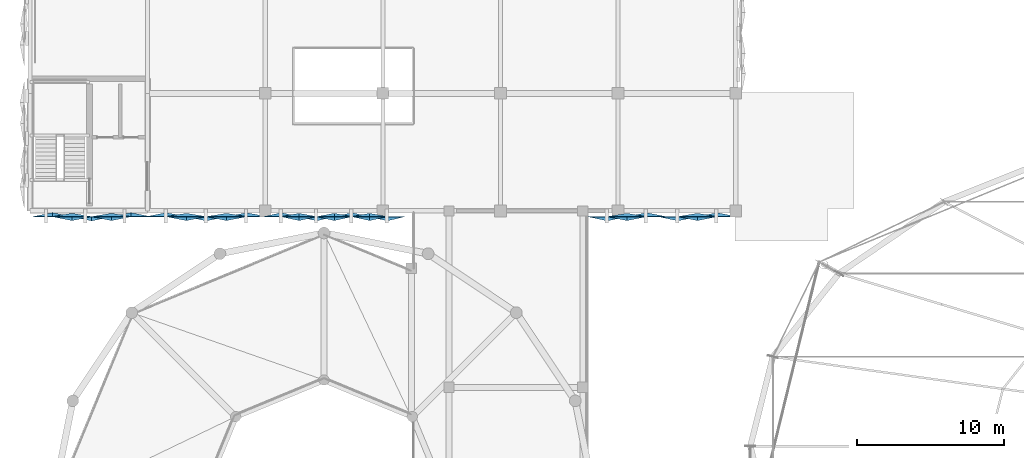
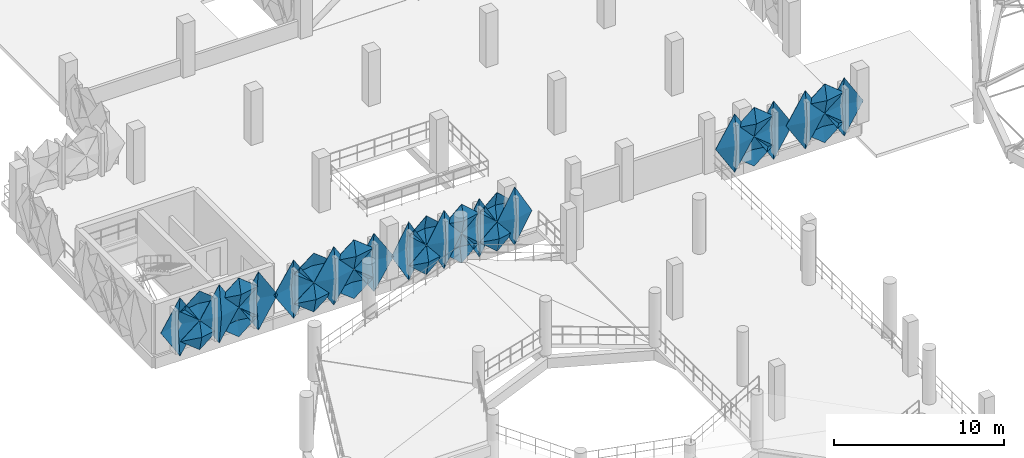
# One storey, part 63 of 96: 32 plates.
"""IFC4 building model written with IfcOpenShell, lengths in metres."""

import ifcopenshell
import ifcopenshell.guid

model = None  # the IFC model being written
_history = None  # IfcOwnerHistory: only IFC2X3 demands one
_inside = {}  # id of a spatial element -> (the spatial element, [elements in it])
_under = {}  # id of a project, library or spatial element -> (it, [spatial elements below it])
_declared = {}  # id of a project -> (the project, [libraries it declares])
_typed = {}  # id of a type object -> (the type object, [elements of that type])
_made_of = {}  # id of a material, layer set ... -> (it, [elements and type objects made of it])


def new_model(schema):
    """Start an empty IFC model of exactly this schema.

    Asked for "IFC4X3", IfcOpenShell would pick the latest addendum, in which some entities
    have other attributes; the version numbers below select the first issue.
    IFC2X3 requires an IfcOwnerHistory on every rooted entity: one is made here for all.
    """
    global model, _history
    if schema == "IFC4X3":
        model = ifcopenshell.file(schema_version=(4, 3, 0, 0))
    else:
        model = ifcopenshell.file(schema=schema)
    _inside.clear()
    _under.clear()
    _declared.clear()
    _typed.clear()
    _made_of.clear()
    _history = None
    if model.schema == "IFC2X3":
        org = make("IfcOrganization", Name="unknown")
        user = make(
            "IfcPersonAndOrganization",
            ThePerson=make("IfcPerson", FamilyName="unknown"),
            TheOrganization=org,
        )
        app = make(
            "IfcApplication",
            ApplicationDeveloper=org,
            Version="unknown",
            ApplicationFullName="unknown",
            ApplicationIdentifier="unknown",
        )
        _history = make(
            "IfcOwnerHistory",
            OwningUser=user,
            OwningApplication=app,
            ChangeAction="ADDED",
            CreationDate=0,
        )
    return model


def make(cls, **values):
    """One entity of the class cls with the attributes given. An attribute that is None is left unset."""
    return model.create_entity(
        cls, **{name: value for name, value in values.items() if value is not None}
    )


def rooted(cls, **values):
    """An entity with a GlobalId (a new one), such as an element, a storey or a relation."""
    return make(cls, GlobalId=ifcopenshell.guid.new(), OwnerHistory=_history, **values)


def si_unit(unit_type, name, prefix=None):
    """IfcSIUnit, for example si_unit("LENGTHUNIT", "METRE", prefix="MILLI")."""
    return make("IfcSIUnit", UnitType=unit_type, Prefix=prefix, Name=name)


def derived_unit(unit_type, elements):
    """IfcDerivedUnit: a product of units, each with its exponent."""
    return make(
        "IfcDerivedUnit",
        Elements=[
            make("IfcDerivedUnitElement", Unit=unit, Exponent=power)
            for unit, power in elements
        ],
        UnitType=unit_type,
    )


def assignment(units):
    """IfcUnitAssignment: the units of a project."""
    return None if units is None else make("IfcUnitAssignment", Units=units)


def point(xyz):
    """IfcCartesianPoint."""
    return None if xyz is None else make("IfcCartesianPoint", Coordinates=xyz)


def direction(xyz):
    """IfcDirection."""
    return None if xyz is None else make("IfcDirection", DirectionRatios=xyz)


def frame(location, z_axis=None, x_axis=None):
    """IfcAxis2Placement3D, a coordinate frame: its origin and axes. An axis left out is left unset."""
    return make(
        "IfcAxis2Placement3D",
        Location=point(location),
        Axis=direction(z_axis),
        RefDirection=direction(x_axis),
    )


def origin():
    """The frame at (0, 0, 0) with its axes left unset."""
    return frame((0.0, 0.0, 0.0))


def place(relative_to, where):
    """IfcLocalPlacement: puts the frame where relative to a parent placement (None: the world)."""
    return make(
        "IfcLocalPlacement", PlacementRelTo=relative_to, RelativePlacement=where
    )


def context(
    kind, dimensions, precision=None, world=None, true_north=None, identifier=None
):
    """IfcGeometricRepresentationContext, for example the 3D "Model" context."""
    return make(
        "IfcGeometricRepresentationContext",
        ContextIdentifier=identifier,
        ContextType=kind,
        CoordinateSpaceDimension=dimensions,
        Precision=precision,
        WorldCoordinateSystem=world,
        TrueNorth=true_north,
    )


def subcontext(parent, identifier, kind, view, scale=None):
    """IfcGeometricRepresentationSubContext, for example "Body" below "Model"."""
    return make(
        "IfcGeometricRepresentationSubContext",
        ContextIdentifier=identifier,
        ContextType=kind,
        ParentContext=parent,
        TargetScale=scale,
        TargetView=view,
    )


def project(units=None, contexts=None):
    """IfcProject with its units and contexts."""
    return rooted(
        "IfcProject",
        Name="project",
        RepresentationContexts=contexts,
        UnitsInContext=assignment(units),
    )


def spatial(cls, under=None, at=None, **own):
    """A site, building, storey or space (cls), placed at a placement, below another one or the project."""
    s = rooted(cls, ObjectPlacement=at, **own)
    if under is not None:
        _under.setdefault(under.id(), (under, []))[1].append(s)
    return s


def point_list(points):
    """IfcCartesianPointList2D or 3D."""
    cls = (
        "IfcCartesianPointList2D" if len(points[0]) == 2 else "IfcCartesianPointList3D"
    )
    return make(cls, CoordList=points)


def polygons(points, faces, closed=None, point_numbers=None):
    """IfcPolygonalFaceSet: a face is its outer loop, then its inner loops; points numbered from 1."""
    made = []
    for loops in faces:
        if len(loops) == 1:
            made.append(make("IfcIndexedPolygonalFace", CoordIndex=loops[0]))
        else:
            made.append(
                make(
                    "IfcIndexedPolygonalFaceWithVoids",
                    CoordIndex=loops[0],
                    InnerCoordIndices=loops[1:],
                )
            )
    return make(
        "IfcPolygonalFaceSet",
        Coordinates=point_list(points),
        Closed=closed,
        Faces=made,
        PnIndex=point_numbers,
    )


def shape(context_of_items, identifier, shape_type, items):
    """IfcShapeRepresentation: the items that make up one representation, for example the "Body"."""
    return make(
        "IfcShapeRepresentation",
        ContextOfItems=context_of_items,
        RepresentationIdentifier=identifier,
        RepresentationType=shape_type,
        Items=items,
    )


def material(Name=None, Category=None):
    """IfcMaterial."""
    return make("IfcMaterial", Name=Name, Category=Category)


def layer(
    of_material, thickness, ventilated=None, Name=None, Category=None, Priority=None
):
    """IfcMaterialLayer: one layer of a wall or slab, of a material (None: an air gap)."""
    return make(
        "IfcMaterialLayer",
        Material=of_material,
        LayerThickness=thickness,
        IsVentilated=ventilated,
        Name=Name,
        Category=Category,
        Priority=Priority,
    )


def layer_set(layers, Name=None):
    """IfcMaterialLayerSet."""
    return make("IfcMaterialLayerSet", MaterialLayers=layers, LayerSetName=Name)


def made_of(thing, what):
    """Note that an element or type object is made of a material, layer set ...; save() writes the relation."""
    if what is not None:
        _made_of.setdefault(what.id(), (what, []))[1].append(thing)
    return thing


def type_object(cls, material=None, **own):
    """A type object (cls), such as IfcWallType, which elements share."""
    return made_of(rooted(cls, **own), material)


def element(
    cls,
    number,
    at=None,
    inside=None,
    cuts=None,
    type_object=None,
    material=None,
    context=None,
    identifier="Body",
    shape_type=None,
    held_by="IfcProductDefinitionShape",
    body=None,
    shapes=None,
    **own,
):
    """One element of the class cls, such as IfcWall. Its Tag is "e" and its number.

    at: its placement. inside: the storey or other place that contains it. cuts: it is an
    opening in that element (IfcRelVoidsElement). A single representation is given by context,
    identifier, shape_type and body (its items); several are given by shapes. held_by: the class
    of the entity that holds the representations. save() writes the other relations.
    """
    e = rooted(cls, Tag="e%d" % number, ObjectPlacement=at, **own)
    if body is not None:
        shapes = [shape(context, identifier, shape_type, body)]
    if shapes is not None:
        e.Representation = make(held_by, Representations=shapes)
    if inside is not None:
        _inside.setdefault(inside.id(), (inside, []))[1].append(e)
    if cuts is not None:
        rooted(
            "IfcRelVoidsElement", RelatingBuildingElement=cuts, RelatedOpeningElement=e
        )
    if type_object is not None:
        _typed.setdefault(type_object.id(), (type_object, []))[1].append(e)
    return made_of(e, material)


def aggregate(whole, parts):
    """IfcRelAggregates: a whole, such as a stair, and the parts it consists of."""
    return rooted("IfcRelAggregates", RelatingObject=whole, RelatedObjects=parts)


def save(model, path):
    """Write the relations noted so far, then the file.

    IfcRelAggregates (storeys below a building ...), IfcRelContainedInSpatialStructure (elements
    in a storey), IfcRelDefinesByType, IfcRelAssociatesMaterial and IfcRelDeclares: one each for
    every whole, place, type object, material and project.
    """
    for whole, parts in _under.values():
        aggregate(whole, parts)
    for where, things in _inside.values():
        rooted(
            "IfcRelContainedInSpatialStructure",
            RelatedElements=things,
            RelatingStructure=where,
        )
    for kind, things in _typed.values():
        rooted("IfcRelDefinesByType", RelatedObjects=things, RelatingType=kind)
    for what, things in _made_of.values():
        rooted("IfcRelAssociatesMaterial", RelatedObjects=things, RelatingMaterial=what)
    for by, libraries in _declared.values():
        rooted("IfcRelDeclares", RelatingContext=by, RelatedDefinitions=libraries)
    model.write(path)


model = new_model("IFC4")

# Units and contexts
model_context = context("Model", 3, precision=1e-05, world=origin(), true_north=direction((0.0, 1.0)))
body_context = subcontext(model_context, "Body", "Model", "MODEL_VIEW")
ifc_project = project(units=[si_unit("LENGTHUNIT", "METRE"), si_unit("AREAUNIT", "SQUARE_METRE"), si_unit("VOLUMEUNIT", "CUBIC_METRE"), si_unit("PLANEANGLEUNIT", "RADIAN"), si_unit("MASSUNIT", "GRAM", prefix="KILO"), si_unit("THERMODYNAMICTEMPERATUREUNIT", "KELVIN"), derived_unit("THERMALTRANSMITTANCEUNIT", [(si_unit("POWERUNIT", "WATT"), 1), (si_unit("AREAUNIT", "SQUARE_METRE"), -1), (si_unit("THERMODYNAMICTEMPERATUREUNIT", "KELVIN"), -1)])], contexts=[model_context])

# Site, building, storey
site_placement = place(None, origin())
site = spatial("IfcSite", under=ifc_project, at=site_placement, CompositionType="ELEMENT")
building_placement = place(site_placement, origin())
building = spatial("IfcBuilding", under=site, at=building_placement, Name="Haiyu Intermodal Mobility Hub", CompositionType="ELEMENT")
storey_placement = place(building_placement, frame((0.0, 0.0, 9.5)))
storey = spatial("IfcBuildingStorey", under=building, at=storey_placement, Name="L02", CompositionType="ELEMENT", Elevation=9.5)

# Plates
ifc_material = material(Name="Anodised aluminium 6063-T6", Category="aluminium")
ifc_layer_1 = layer(ifc_material, 0.02001953125)
ifc_layer_set_1 = layer_set([ifc_layer_1], Name="Anodised aluminium 6063-T6")
plate_type_1 = type_object("IfcPlateType", Name="PLT-FC02", PredefinedType="USERDEFINED", material=ifc_layer_set_1)
plate_1_placement = place(storey_placement, origin())
element("IfcPlate", 1, at=plate_1_placement, inside=storey, type_object=plate_type_1, Name="PLT-PYR-1443", ObjectType="FACADE CASSETTE", PredefinedType="USERDEFINED", context=body_context, shape_type="Tessellation", body=[
    polygons([(20.866943359375, 79.60009765625, -0.510009765625), (22.179931640625, 79.60009765625, 1.60009765625), (20.866943359375, 79.60009765625, 3.7099609375), (19.552978515625, 79.60009765625, 1.60009765625), (20.866943359375, 79.860107421875, 1.60009765625), (20.866943359375, 79.6220703125, -0.510009765625), (22.179931640625, 79.6220703125, 1.60009765625), (20.866943359375, 79.6220703125, 3.7099609375), (19.552978515625, 79.6220703125, 1.60009765625), (20.866943359375, 79.882080078125, 1.60009765625)], [[[1, 2, 5]], [[2, 3, 5]], [[3, 4, 5]], [[4, 1, 5]], [[7, 6, 10]], [[8, 7, 10]], [[9, 8, 10]], [[6, 9, 10]], [[1, 6, 7, 2]], [[2, 7, 8, 3]], [[3, 8, 9, 4]], [[4, 9, 6, 1]]], closed=True),
])
plate_2_placement = place(storey_placement, origin())
element("IfcPlate", 2, at=plate_2_placement, inside=storey, type_object=plate_type_1, Name="PLT-PYR-2496", ObjectType="FACADE CASSETTE", PredefinedType="USERDEFINED", context=body_context, shape_type="Tessellation", body=[
    polygons([(28.73291015625, 79.60009765625, -0.510009765625), (30.080078125, 79.60009765625, 1.60009765625), (28.73291015625, 79.60009765625, 3.7099609375), (27.386962890625, 79.60009765625, 1.60009765625), (28.73291015625, 79.860107421875, 1.60009765625), (28.73291015625, 79.6220703125, -0.510009765625), (30.080078125, 79.6220703125, 1.60009765625), (28.73291015625, 79.6220703125, 3.7099609375), (27.386962890625, 79.6220703125, 1.60009765625), (28.73291015625, 79.882080078125, 1.60009765625)], [[[1, 2, 5]], [[2, 3, 5]], [[3, 4, 5]], [[4, 1, 5]], [[7, 6, 10]], [[8, 7, 10]], [[9, 8, 10]], [[6, 9, 10]], [[1, 6, 7, 2]], [[2, 7, 8, 3]], [[3, 8, 9, 4]], [[4, 9, 6, 1]]], closed=True),
])
plate_3_placement = place(storey_placement, origin())
element("IfcPlate", 3, at=plate_3_placement, inside=storey, type_object=plate_type_1, Name="PLT-PYR-2503", ObjectType="FACADE CASSETTE", PredefinedType="USERDEFINED", context=body_context, shape_type="Tessellation", body=[
    polygons([(35.89990234375, 79.60009765625, -0.510009765625), (37.080078125, 79.60009765625, 1.60009765625), (35.89990234375, 79.60009765625, 3.7099609375), (34.719970703125, 79.60009765625, 1.60009765625), (35.89990234375, 79.860107421875, 1.60009765625), (35.89990234375, 79.6220703125, -0.510009765625), (37.080078125, 79.6220703125, 1.60009765625), (35.89990234375, 79.6220703125, 3.7099609375), (34.719970703125, 79.6220703125, 1.60009765625), (35.89990234375, 79.882080078125, 1.60009765625)], [[[1, 2, 5]], [[2, 3, 5]], [[3, 4, 5]], [[4, 1, 5]], [[7, 6, 10]], [[8, 7, 10]], [[9, 8, 10]], [[6, 9, 10]], [[1, 6, 7, 2]], [[2, 7, 8, 3]], [[3, 8, 9, 4]], [[4, 9, 6, 1]]], closed=True),
])
ifc_layer_2 = layer(ifc_material, 0.01806640625)
ifc_layer_set_2 = layer_set([ifc_layer_2], Name="Anodised aluminium 6063-T6")
plate_type_2 = type_object("IfcPlateType", Name="PLT-FC03", PredefinedType="USERDEFINED", material=ifc_layer_set_2)
plate_4_placement = place(storey_placement, origin())
element("IfcPlate", 4, at=plate_4_placement, inside=storey, type_object=plate_type_2, Name="PLT-PYR-2506", ObjectType="FACADE CASSETTE", PredefinedType="USERDEFINED", context=body_context, shape_type="Tessellation", body=[
    polygons([(38.300048828125, 79.60009765625, -0.510009765625), (39.47998046875, 79.60009765625, 1.60009765625), (38.300048828125, 79.60009765625, 3.7099609375), (37.1201171875, 79.60009765625, 1.60009765625), (38.300048828125, 79.320068359375, 1.60009765625), (38.300048828125, 79.6220703125, -0.510009765625), (39.47998046875, 79.6220703125, 1.60009765625), (38.300048828125, 79.6220703125, 3.7099609375), (37.1201171875, 79.6220703125, 1.60009765625), (38.300048828125, 79.342041015625, 1.60009765625)], [[[1, 2, 5]], [[2, 3, 5]], [[3, 4, 5]], [[4, 1, 5]], [[7, 6, 10]], [[8, 7, 10]], [[9, 8, 10]], [[6, 9, 10]], [[1, 6, 7, 2]], [[2, 7, 8, 3]], [[3, 8, 9, 4]], [[4, 9, 6, 1]]], closed=True),
])
ifc_layer_3 = layer(ifc_material, 0.01806640625)
ifc_layer_set_3 = layer_set([ifc_layer_3], Name="Anodised aluminium 6063-T6")
plate_type_3 = type_object("IfcPlateType", Name="PLT-FC05", PredefinedType="USERDEFINED", material=ifc_layer_set_3)
plate_5_placement = place(storey_placement, origin())
element("IfcPlate", 5, at=plate_5_placement, inside=storey, type_object=plate_type_3, Name="PLT-PYR-1438", ObjectType="FACADE CASSETTE", PredefinedType="USERDEFINED", context=body_context, shape_type="Tessellation", body=[
    polygons([(16.866943359375, 79.60009765625, -0.52001953125), (18.179931640625, 79.60009765625, 0.530029296875), (16.866943359375, 79.60009765625, 1.580078125), (15.552978515625, 79.60009765625, 0.530029296875), (16.866943359375, 79.340087890625, 0.530029296875), (16.866943359375, 79.6220703125, -0.52001953125), (18.179931640625, 79.6220703125, 0.530029296875), (16.866943359375, 79.6220703125, 1.580078125), (15.552978515625, 79.6220703125, 0.530029296875), (16.866943359375, 79.362060546875, 0.530029296875)], [[[1, 2, 5]], [[2, 3, 5]], [[3, 4, 5]], [[4, 1, 5]], [[7, 6, 10]], [[8, 7, 10]], [[9, 8, 10]], [[6, 9, 10]], [[1, 6, 7, 2]], [[2, 7, 8, 3]], [[3, 8, 9, 4]], [[4, 9, 6, 1]]], closed=True),
])
plate_6_placement = place(storey_placement, origin())
element("IfcPlate", 6, at=plate_6_placement, inside=storey, type_object=plate_type_3, Name="PLT-PYR-2055", ObjectType="FACADE CASSETTE", PredefinedType="USERDEFINED", context=body_context, shape_type="Tessellation", body=[
    polygons([(53.27490234375, 79.60009765625, -0.510009765625), (54.580078125, 79.60009765625, 1.60009765625), (53.27490234375, 79.60009765625, 3.7099609375), (51.969970703125, 79.60009765625, 1.60009765625), (53.27490234375, 79.320068359375, 1.60009765625), (53.27490234375, 79.6220703125, -0.510009765625), (54.580078125, 79.6220703125, 1.60009765625), (53.27490234375, 79.6220703125, 3.7099609375), (51.969970703125, 79.6220703125, 1.60009765625), (53.27490234375, 79.342041015625, 1.60009765625)], [[[1, 2, 5]], [[2, 3, 5]], [[3, 4, 5]], [[4, 1, 5]], [[7, 6, 10]], [[8, 7, 10]], [[9, 8, 10]], [[6, 9, 10]], [[1, 6, 7, 2]], [[2, 7, 8, 3]], [[3, 8, 9, 4]], [[4, 9, 6, 1]]], closed=True),
])
plate_7_placement = place(storey_placement, origin())
element("IfcPlate", 7, at=plate_7_placement, inside=storey, type_object=plate_type_3, Name="PLT-PYR-2059", ObjectType="FACADE CASSETTE", PredefinedType="USERDEFINED", context=body_context, shape_type="Tessellation", body=[
    polygons([(58.074951171875, 79.60009765625, -0.510009765625), (59.3798828125, 79.60009765625, 1.60009765625), (58.074951171875, 79.60009765625, 3.7099609375), (56.77001953125, 79.60009765625, 1.60009765625), (58.074951171875, 79.320068359375, 1.60009765625), (58.074951171875, 79.6220703125, -0.510009765625), (59.3798828125, 79.6220703125, 1.60009765625), (58.074951171875, 79.6220703125, 3.7099609375), (56.77001953125, 79.6220703125, 1.60009765625), (58.074951171875, 79.342041015625, 1.60009765625)], [[[1, 2, 5]], [[2, 3, 5]], [[3, 4, 5]], [[4, 1, 5]], [[7, 6, 10]], [[8, 7, 10]], [[9, 8, 10]], [[6, 9, 10]], [[1, 6, 7, 2]], [[2, 7, 8, 3]], [[3, 8, 9, 4]], [[4, 9, 6, 1]]], closed=True),
])
plate_8_placement = place(storey_placement, origin())
element("IfcPlate", 8, at=plate_8_placement, inside=storey, type_object=plate_type_3, Name="PLT-PYR-2491", ObjectType="FACADE CASSETTE", PredefinedType="USERDEFINED", context=body_context, shape_type="Tessellation", body=[
    polygons([(24.633056640625, 79.60009765625, -0.52001953125), (25.97998046875, 79.60009765625, 0.530029296875), (24.633056640625, 79.60009765625, 1.580078125), (23.287109375, 79.60009765625, 0.530029296875), (24.633056640625, 79.340087890625, 0.530029296875), (24.633056640625, 79.6220703125, -0.52001953125), (25.97998046875, 79.6220703125, 0.530029296875), (24.633056640625, 79.6220703125, 1.580078125), (23.287109375, 79.6220703125, 0.530029296875), (24.633056640625, 79.362060546875, 0.530029296875)], [[[1, 2, 5]], [[2, 3, 5]], [[3, 4, 5]], [[4, 1, 5]], [[7, 6, 10]], [[8, 7, 10]], [[9, 8, 10]], [[6, 9, 10]], [[1, 6, 7, 2]], [[2, 7, 8, 3]], [[3, 8, 9, 4]], [[4, 9, 6, 1]]], closed=True),
])
plate_9_placement = place(storey_placement, origin())
element("IfcPlate", 9, at=plate_9_placement, inside=storey, type_object=plate_type_3, Name="PLT-PYR-2498", ObjectType="FACADE CASSETTE", PredefinedType="USERDEFINED", context=body_context, shape_type="Tessellation", body=[
    polygons([(32.300048828125, 79.60009765625, -0.52001953125), (33.47998046875, 79.60009765625, 0.530029296875), (32.300048828125, 79.60009765625, 1.580078125), (31.1201171875, 79.60009765625, 0.530029296875), (32.300048828125, 79.340087890625, 0.530029296875), (32.300048828125, 79.6220703125, -0.52001953125), (33.47998046875, 79.6220703125, 0.530029296875), (32.300048828125, 79.6220703125, 1.580078125), (31.1201171875, 79.6220703125, 0.530029296875), (32.300048828125, 79.362060546875, 0.530029296875)], [[[1, 2, 5]], [[2, 3, 5]], [[3, 4, 5]], [[4, 1, 5]], [[7, 6, 10]], [[8, 7, 10]], [[9, 8, 10]], [[6, 9, 10]], [[1, 6, 7, 2]], [[2, 7, 8, 3]], [[3, 8, 9, 4]], [[4, 9, 6, 1]]], closed=True),
])
plate_10_placement = place(storey_placement, origin())
element("IfcPlate", 10, at=plate_10_placement, inside=storey, type_object=plate_type_3, Name="PLT-PYR-2504", ObjectType="FACADE CASSETTE", PredefinedType="USERDEFINED", context=body_context, shape_type="Tessellation", body=[
    polygons([(37.10009765625, 79.60009765625, -0.52001953125), (38.280029296875, 79.60009765625, 0.530029296875), (37.10009765625, 79.60009765625, 1.580078125), (35.919921875, 79.60009765625, 0.530029296875), (37.10009765625, 79.340087890625, 0.530029296875), (37.10009765625, 79.6220703125, -0.52001953125), (38.280029296875, 79.6220703125, 0.530029296875), (37.10009765625, 79.6220703125, 1.580078125), (35.919921875, 79.6220703125, 0.530029296875), (37.10009765625, 79.362060546875, 0.530029296875)], [[[1, 2, 5]], [[2, 3, 5]], [[3, 4, 5]], [[4, 1, 5]], [[7, 6, 10]], [[8, 7, 10]], [[9, 8, 10]], [[6, 9, 10]], [[1, 6, 7, 2]], [[2, 7, 8, 3]], [[3, 8, 9, 4]], [[4, 9, 6, 1]]], closed=True),
])
ifc_layer_4 = layer(ifc_material, 0.02001953125)
ifc_layer_set_4 = layer_set([ifc_layer_4], Name="Anodised aluminium 6063-T6")
plate_type_4 = type_object("IfcPlateType", Name="PLT-FC06", PredefinedType="USERDEFINED", material=ifc_layer_set_4)
plate_11_placement = place(storey_placement, origin())
element("IfcPlate", 11, at=plate_11_placement, inside=storey, type_object=plate_type_4, Name="PLT-PYR-1437", ObjectType="FACADE CASSETTE", PredefinedType="USERDEFINED", context=body_context, shape_type="Tessellation", body=[
    polygons([(15.532958984375, 79.60009765625, -0.510009765625), (16.846923828125, 79.60009765625, 1.60009765625), (15.532958984375, 79.60009765625, 3.7099609375), (14.219970703125, 79.60009765625, 1.60009765625), (15.532958984375, 79.860107421875, 1.60009765625), (15.532958984375, 79.6220703125, -0.510009765625), (16.846923828125, 79.6220703125, 1.60009765625), (15.532958984375, 79.6220703125, 3.7099609375), (14.219970703125, 79.6220703125, 1.60009765625), (15.532958984375, 79.882080078125, 1.60009765625)], [[[1, 2, 5]], [[2, 3, 5]], [[3, 4, 5]], [[4, 1, 5]], [[7, 6, 10]], [[8, 7, 10]], [[9, 8, 10]], [[6, 9, 10]], [[1, 6, 7, 2]], [[2, 7, 8, 3]], [[3, 8, 9, 4]], [[4, 9, 6, 1]]], closed=True),
])
plate_12_placement = place(storey_placement, origin())
element("IfcPlate", 12, at=plate_12_placement, inside=storey, type_object=plate_type_4, Name="PLT-PYR-1441", ObjectType="FACADE CASSETTE", PredefinedType="USERDEFINED", context=body_context, shape_type="Tessellation", body=[
    polygons([(19.532958984375, 79.60009765625, -0.52001953125), (20.846923828125, 79.60009765625, 0.530029296875), (19.532958984375, 79.60009765625, 1.580078125), (18.219970703125, 79.60009765625, 0.530029296875), (19.532958984375, 79.820068359375, 0.530029296875), (19.532958984375, 79.6220703125, -0.52001953125), (20.846923828125, 79.6220703125, 0.530029296875), (19.532958984375, 79.6220703125, 1.580078125), (18.219970703125, 79.6220703125, 0.530029296875), (19.532958984375, 79.842041015625, 0.530029296875)], [[[1, 2, 5]], [[2, 3, 5]], [[3, 4, 5]], [[4, 1, 5]], [[7, 6, 10]], [[8, 7, 10]], [[9, 8, 10]], [[6, 9, 10]], [[1, 6, 7, 2]], [[2, 7, 8, 3]], [[3, 8, 9, 4]], [[4, 9, 6, 1]]], closed=True),
])
plate_13_placement = place(storey_placement, origin())
element("IfcPlate", 13, at=plate_13_placement, inside=storey, type_object=plate_type_4, Name="PLT-PYR-2056", ObjectType="FACADE CASSETTE", PredefinedType="USERDEFINED", context=body_context, shape_type="Tessellation", body=[
    polygons([(54.60009765625, 79.60009765625, -0.52001953125), (55.905029296875, 79.60009765625, 0.530029296875), (54.60009765625, 79.60009765625, 1.580078125), (53.294921875, 79.60009765625, 0.530029296875), (54.60009765625, 79.820068359375, 0.530029296875), (54.60009765625, 79.6220703125, -0.52001953125), (55.905029296875, 79.6220703125, 0.530029296875), (54.60009765625, 79.6220703125, 1.580078125), (53.294921875, 79.6220703125, 0.530029296875), (54.60009765625, 79.842041015625, 0.530029296875)], [[[1, 2, 5]], [[2, 3, 5]], [[3, 4, 5]], [[4, 1, 5]], [[7, 6, 10]], [[8, 7, 10]], [[9, 8, 10]], [[6, 9, 10]], [[1, 6, 7, 2]], [[2, 7, 8, 3]], [[3, 8, 9, 4]], [[4, 9, 6, 1]]], closed=True),
])
plate_14_placement = place(storey_placement, origin())
element("IfcPlate", 14, at=plate_14_placement, inside=storey, type_object=plate_type_4, Name="PLT-PYR-2060", ObjectType="FACADE CASSETTE", PredefinedType="USERDEFINED", context=body_context, shape_type="Tessellation", body=[
    polygons([(59.39990234375, 79.60009765625, -0.52001953125), (60.705078125, 79.60009765625, 0.530029296875), (59.39990234375, 79.60009765625, 1.580078125), (58.094970703125, 79.60009765625, 0.530029296875), (59.39990234375, 79.820068359375, 0.530029296875), (59.39990234375, 79.6220703125, -0.52001953125), (60.705078125, 79.6220703125, 0.530029296875), (59.39990234375, 79.6220703125, 1.580078125), (58.094970703125, 79.6220703125, 0.530029296875), (59.39990234375, 79.842041015625, 0.530029296875)], [[[1, 2, 5]], [[2, 3, 5]], [[3, 4, 5]], [[4, 1, 5]], [[7, 6, 10]], [[8, 7, 10]], [[9, 8, 10]], [[6, 9, 10]], [[1, 6, 7, 2]], [[2, 7, 8, 3]], [[3, 8, 9, 4]], [[4, 9, 6, 1]]], closed=True),
])
plate_15_placement = place(storey_placement, origin())
element("IfcPlate", 15, at=plate_15_placement, inside=storey, type_object=plate_type_4, Name="PLT-PYR-2490", ObjectType="FACADE CASSETTE", PredefinedType="USERDEFINED", context=body_context, shape_type="Tessellation", body=[
    polygons([(23.26708984375, 79.60009765625, -0.510009765625), (24.613037109375, 79.60009765625, 1.60009765625), (23.26708984375, 79.60009765625, 3.7099609375), (21.919921875, 79.60009765625, 1.60009765625), (23.26708984375, 79.860107421875, 1.60009765625), (23.26708984375, 79.6220703125, -0.510009765625), (24.613037109375, 79.6220703125, 1.60009765625), (23.26708984375, 79.6220703125, 3.7099609375), (21.919921875, 79.6220703125, 1.60009765625), (23.26708984375, 79.882080078125, 1.60009765625)], [[[1, 2, 5]], [[2, 3, 5]], [[3, 4, 5]], [[4, 1, 5]], [[7, 6, 10]], [[8, 7, 10]], [[9, 8, 10]], [[6, 9, 10]], [[1, 6, 7, 2]], [[2, 7, 8, 3]], [[3, 8, 9, 4]], [[4, 9, 6, 1]]], closed=True),
])
plate_16_placement = place(storey_placement, origin())
element("IfcPlate", 16, at=plate_16_placement, inside=storey, type_object=plate_type_4, Name="PLT-PYR-2494", ObjectType="FACADE CASSETTE", PredefinedType="USERDEFINED", context=body_context, shape_type="Tessellation", body=[
    polygons([(27.366943359375, 79.60009765625, -0.52001953125), (28.712890625, 79.60009765625, 0.530029296875), (27.366943359375, 79.60009765625, 1.580078125), (26.02001953125, 79.60009765625, 0.530029296875), (27.366943359375, 79.820068359375, 0.530029296875), (27.366943359375, 79.6220703125, -0.52001953125), (28.712890625, 79.6220703125, 0.530029296875), (27.366943359375, 79.6220703125, 1.580078125), (26.02001953125, 79.6220703125, 0.530029296875), (27.366943359375, 79.842041015625, 0.530029296875)], [[[1, 2, 5]], [[2, 3, 5]], [[3, 4, 5]], [[4, 1, 5]], [[7, 6, 10]], [[8, 7, 10]], [[9, 8, 10]], [[6, 9, 10]], [[1, 6, 7, 2]], [[2, 7, 8, 3]], [[3, 8, 9, 4]], [[4, 9, 6, 1]]], closed=True),
])
plate_17_placement = place(storey_placement, origin())
element("IfcPlate", 17, at=plate_17_placement, inside=storey, type_object=plate_type_4, Name="PLT-PYR-2497", ObjectType="FACADE CASSETTE", PredefinedType="USERDEFINED", context=body_context, shape_type="Tessellation", body=[
    polygons([(31.10009765625, 79.60009765625, -0.510009765625), (32.280029296875, 79.60009765625, 1.60009765625), (31.10009765625, 79.60009765625, 3.7099609375), (29.919921875, 79.60009765625, 1.60009765625), (31.10009765625, 79.860107421875, 1.60009765625), (31.10009765625, 79.6220703125, -0.510009765625), (32.280029296875, 79.6220703125, 1.60009765625), (31.10009765625, 79.6220703125, 3.7099609375), (29.919921875, 79.6220703125, 1.60009765625), (31.10009765625, 79.882080078125, 1.60009765625)], [[[1, 2, 5]], [[2, 3, 5]], [[3, 4, 5]], [[4, 1, 5]], [[7, 6, 10]], [[8, 7, 10]], [[9, 8, 10]], [[6, 9, 10]], [[1, 6, 7, 2]], [[2, 7, 8, 3]], [[3, 8, 9, 4]], [[4, 9, 6, 1]]], closed=True),
])
plate_18_placement = place(storey_placement, origin())
element("IfcPlate", 18, at=plate_18_placement, inside=storey, type_object=plate_type_4, Name="PLT-PYR-2501", ObjectType="FACADE CASSETTE", PredefinedType="USERDEFINED", context=body_context, shape_type="Tessellation", body=[
    polygons([(34.699951171875, 79.60009765625, -0.52001953125), (35.8798828125, 79.60009765625, 0.530029296875), (34.699951171875, 79.60009765625, 1.580078125), (33.52001953125, 79.60009765625, 0.530029296875), (34.699951171875, 79.820068359375, 0.530029296875), (34.699951171875, 79.6220703125, -0.52001953125), (35.8798828125, 79.6220703125, 0.530029296875), (34.699951171875, 79.6220703125, 1.580078125), (33.52001953125, 79.6220703125, 0.530029296875), (34.699951171875, 79.842041015625, 0.530029296875)], [[[1, 2, 5]], [[2, 3, 5]], [[3, 4, 5]], [[4, 1, 5]], [[7, 6, 10]], [[8, 7, 10]], [[9, 8, 10]], [[6, 9, 10]], [[1, 6, 7, 2]], [[2, 7, 8, 3]], [[3, 8, 9, 4]], [[4, 9, 6, 1]]], closed=True),
])
ifc_layer_5 = layer(ifc_material, 0.02197265625)
ifc_layer_set_5 = layer_set([ifc_layer_5], Name="Anodised aluminium 6063-T6")
plate_type_5 = type_object("IfcPlateType", Name="PLT-FC07", PredefinedType="USERDEFINED", material=ifc_layer_set_5)
plate_19_placement = place(storey_placement, origin())
element("IfcPlate", 19, at=plate_19_placement, inside=storey, type_object=plate_type_5, Name="PLT-PYR-1440", ObjectType="FACADE CASSETTE", PredefinedType="USERDEFINED", context=body_context, shape_type="Tessellation", body=[
    polygons([(18.199951171875, 79.60009765625, -0.510009765625), (19.512939453125, 79.60009765625, 1.60009765625), (18.199951171875, 79.60009765625, 3.7099609375), (16.886962890625, 79.60009765625, 1.60009765625), (18.199951171875, 79.320068359375, 1.60009765625), (18.199951171875, 79.6220703125, -0.510009765625), (19.512939453125, 79.6220703125, 1.60009765625), (18.199951171875, 79.6220703125, 3.7099609375), (16.886962890625, 79.6220703125, 1.60009765625), (18.199951171875, 79.342041015625, 1.60009765625)], [[[1, 2, 5]], [[2, 3, 5]], [[3, 4, 5]], [[4, 1, 5]], [[7, 6, 10]], [[8, 7, 10]], [[9, 8, 10]], [[6, 9, 10]], [[1, 6, 7, 2]], [[2, 7, 8, 3]], [[3, 8, 9, 4]], [[4, 9, 6, 1]]], closed=True),
])
plate_20_placement = place(storey_placement, origin())
element("IfcPlate", 20, at=plate_20_placement, inside=storey, type_object=plate_type_5, Name="PLT-PYR-1442", ObjectType="FACADE CASSETTE", PredefinedType="USERDEFINED", context=body_context, shape_type="Tessellation", body=[
    polygons([(19.532958984375, 79.60009765625, 1.6201171875), (20.846923828125, 79.60009765625, 2.669921875), (19.532958984375, 79.60009765625, 3.719970703125), (18.219970703125, 79.60009765625, 2.669921875), (19.532958984375, 79.340087890625, 2.669921875), (19.532958984375, 79.6220703125, 1.6201171875), (20.846923828125, 79.6220703125, 2.669921875), (19.532958984375, 79.6220703125, 3.719970703125), (18.219970703125, 79.6220703125, 2.669921875), (19.532958984375, 79.362060546875, 2.669921875)], [[[1, 2, 5]], [[2, 3, 5]], [[3, 4, 5]], [[4, 1, 5]], [[7, 6, 10]], [[8, 7, 10]], [[9, 8, 10]], [[6, 9, 10]], [[1, 6, 7, 2]], [[2, 7, 8, 3]], [[3, 8, 9, 4]], [[4, 9, 6, 1]]], closed=True),
])
plate_21_placement = place(storey_placement, origin())
element("IfcPlate", 21, at=plate_21_placement, inside=storey, type_object=plate_type_5, Name="PLT-PYR-2057", ObjectType="FACADE CASSETTE", PredefinedType="USERDEFINED", context=body_context, shape_type="Tessellation", body=[
    polygons([(54.60009765625, 79.60009765625, 1.6201171875), (55.905029296875, 79.60009765625, 2.669921875), (54.60009765625, 79.60009765625, 3.719970703125), (53.294921875, 79.60009765625, 2.669921875), (54.60009765625, 79.340087890625, 2.669921875), (54.60009765625, 79.6220703125, 1.6201171875), (55.905029296875, 79.6220703125, 2.669921875), (54.60009765625, 79.6220703125, 3.719970703125), (53.294921875, 79.6220703125, 2.669921875), (54.60009765625, 79.362060546875, 2.669921875)], [[[1, 2, 5]], [[2, 3, 5]], [[3, 4, 5]], [[4, 1, 5]], [[7, 6, 10]], [[8, 7, 10]], [[9, 8, 10]], [[6, 9, 10]], [[1, 6, 7, 2]], [[2, 7, 8, 3]], [[3, 8, 9, 4]], [[4, 9, 6, 1]]], closed=True),
])
plate_22_placement = place(storey_placement, origin())
element("IfcPlate", 22, at=plate_22_placement, inside=storey, type_object=plate_type_5, Name="PLT-PYR-2061", ObjectType="FACADE CASSETTE", PredefinedType="USERDEFINED", context=body_context, shape_type="Tessellation", body=[
    polygons([(59.39990234375, 79.60009765625, 1.6201171875), (60.705078125, 79.60009765625, 2.669921875), (59.39990234375, 79.60009765625, 3.719970703125), (58.094970703125, 79.60009765625, 2.669921875), (59.39990234375, 79.340087890625, 2.669921875), (59.39990234375, 79.6220703125, 1.6201171875), (60.705078125, 79.6220703125, 2.669921875), (59.39990234375, 79.6220703125, 3.719970703125), (58.094970703125, 79.6220703125, 2.669921875), (59.39990234375, 79.362060546875, 2.669921875)], [[[1, 2, 5]], [[2, 3, 5]], [[3, 4, 5]], [[4, 1, 5]], [[7, 6, 10]], [[8, 7, 10]], [[9, 8, 10]], [[6, 9, 10]], [[1, 6, 7, 2]], [[2, 7, 8, 3]], [[3, 8, 9, 4]], [[4, 9, 6, 1]]], closed=True),
])
plate_23_placement = place(storey_placement, origin())
element("IfcPlate", 23, at=plate_23_placement, inside=storey, type_object=plate_type_5, Name="PLT-PYR-2493", ObjectType="FACADE CASSETTE", PredefinedType="USERDEFINED", context=body_context, shape_type="Tessellation", body=[
    polygons([(26.0, 79.60009765625, -0.510009765625), (27.346923828125, 79.60009765625, 1.60009765625), (26.0, 79.60009765625, 3.7099609375), (24.653076171875, 79.60009765625, 1.60009765625), (26.0, 79.320068359375, 1.60009765625), (26.0, 79.6220703125, -0.510009765625), (27.346923828125, 79.6220703125, 1.60009765625), (26.0, 79.6220703125, 3.7099609375), (24.653076171875, 79.6220703125, 1.60009765625), (26.0, 79.342041015625, 1.60009765625)], [[[1, 2, 5]], [[2, 3, 5]], [[3, 4, 5]], [[4, 1, 5]], [[7, 6, 10]], [[8, 7, 10]], [[9, 8, 10]], [[6, 9, 10]], [[1, 6, 7, 2]], [[2, 7, 8, 3]], [[3, 8, 9, 4]], [[4, 9, 6, 1]]], closed=True),
])
plate_24_placement = place(storey_placement, origin())
element("IfcPlate", 24, at=plate_24_placement, inside=storey, type_object=plate_type_5, Name="PLT-PYR-2495", ObjectType="FACADE CASSETTE", PredefinedType="USERDEFINED", context=body_context, shape_type="Tessellation", body=[
    polygons([(27.366943359375, 79.60009765625, 1.6201171875), (28.712890625, 79.60009765625, 2.669921875), (27.366943359375, 79.60009765625, 3.719970703125), (26.02001953125, 79.60009765625, 2.669921875), (27.366943359375, 79.340087890625, 2.669921875), (27.366943359375, 79.6220703125, 1.6201171875), (28.712890625, 79.6220703125, 2.669921875), (27.366943359375, 79.6220703125, 3.719970703125), (26.02001953125, 79.6220703125, 2.669921875), (27.366943359375, 79.362060546875, 2.669921875)], [[[1, 2, 5]], [[2, 3, 5]], [[3, 4, 5]], [[4, 1, 5]], [[7, 6, 10]], [[8, 7, 10]], [[9, 8, 10]], [[6, 9, 10]], [[1, 6, 7, 2]], [[2, 7, 8, 3]], [[3, 8, 9, 4]], [[4, 9, 6, 1]]], closed=True),
])
plate_25_placement = place(storey_placement, origin())
element("IfcPlate", 25, at=plate_25_placement, inside=storey, type_object=plate_type_5, Name="PLT-PYR-2500", ObjectType="FACADE CASSETTE", PredefinedType="USERDEFINED", context=body_context, shape_type="Tessellation", body=[
    polygons([(33.5, 79.60009765625, -0.510009765625), (34.679931640625, 79.60009765625, 1.60009765625), (33.5, 79.60009765625, 3.7099609375), (32.320068359375, 79.60009765625, 1.60009765625), (33.5, 79.320068359375, 1.60009765625), (33.5, 79.6220703125, -0.510009765625), (34.679931640625, 79.6220703125, 1.60009765625), (33.5, 79.6220703125, 3.7099609375), (32.320068359375, 79.6220703125, 1.60009765625), (33.5, 79.342041015625, 1.60009765625)], [[[1, 2, 5]], [[2, 3, 5]], [[3, 4, 5]], [[4, 1, 5]], [[7, 6, 10]], [[8, 7, 10]], [[9, 8, 10]], [[6, 9, 10]], [[1, 6, 7, 2]], [[2, 7, 8, 3]], [[3, 8, 9, 4]], [[4, 9, 6, 1]]], closed=True),
])
plate_26_placement = place(storey_placement, origin())
element("IfcPlate", 26, at=plate_26_placement, inside=storey, type_object=plate_type_5, Name="PLT-PYR-2502", ObjectType="FACADE CASSETTE", PredefinedType="USERDEFINED", context=body_context, shape_type="Tessellation", body=[
    polygons([(34.699951171875, 79.60009765625, 1.6201171875), (35.8798828125, 79.60009765625, 2.669921875), (34.699951171875, 79.60009765625, 3.719970703125), (33.52001953125, 79.60009765625, 2.669921875), (34.699951171875, 79.340087890625, 2.669921875), (34.699951171875, 79.6220703125, 1.6201171875), (35.8798828125, 79.6220703125, 2.669921875), (34.699951171875, 79.6220703125, 3.719970703125), (33.52001953125, 79.6220703125, 2.669921875), (34.699951171875, 79.362060546875, 2.669921875)], [[[1, 2, 5]], [[2, 3, 5]], [[3, 4, 5]], [[4, 1, 5]], [[7, 6, 10]], [[8, 7, 10]], [[9, 8, 10]], [[6, 9, 10]], [[1, 6, 7, 2]], [[2, 7, 8, 3]], [[3, 8, 9, 4]], [[4, 9, 6, 1]]], closed=True),
])
ifc_layer_6 = layer(ifc_material, 0.02392578125)
ifc_layer_set_6 = layer_set([ifc_layer_6], Name="Anodised aluminium 6063-T6")
plate_type_6 = type_object("IfcPlateType", Name="PLT-FC08", PredefinedType="USERDEFINED", material=ifc_layer_set_6)
plate_27_placement = place(storey_placement, origin())
element("IfcPlate", 27, at=plate_27_placement, inside=storey, type_object=plate_type_6, Name="PLT-PYR-1439", ObjectType="FACADE CASSETTE", PredefinedType="USERDEFINED", context=body_context, shape_type="Tessellation", body=[
    polygons([(16.866943359375, 79.60009765625, 1.6201171875), (18.179931640625, 79.60009765625, 2.669921875), (16.866943359375, 79.60009765625, 3.719970703125), (15.552978515625, 79.60009765625, 2.669921875), (16.866943359375, 79.820068359375, 2.669921875), (16.866943359375, 79.6220703125, 1.6201171875), (18.179931640625, 79.6220703125, 2.669921875), (16.866943359375, 79.6220703125, 3.719970703125), (15.552978515625, 79.6220703125, 2.669921875), (16.866943359375, 79.842041015625, 2.669921875)], [[[1, 2, 5]], [[2, 3, 5]], [[3, 4, 5]], [[4, 1, 5]], [[7, 6, 10]], [[8, 7, 10]], [[9, 8, 10]], [[6, 9, 10]], [[1, 6, 7, 2]], [[2, 7, 8, 3]], [[3, 8, 9, 4]], [[4, 9, 6, 1]]], closed=True),
])
plate_28_placement = place(storey_placement, origin())
element("IfcPlate", 28, at=plate_28_placement, inside=storey, type_object=plate_type_6, Name="PLT-PYR-2058", ObjectType="FACADE CASSETTE", PredefinedType="USERDEFINED", context=body_context, shape_type="Tessellation", body=[
    polygons([(55.925048828125, 79.60009765625, -0.510009765625), (57.22998046875, 79.60009765625, 1.60009765625), (55.925048828125, 79.60009765625, 3.7099609375), (54.6201171875, 79.60009765625, 1.60009765625), (55.925048828125, 79.860107421875, 1.60009765625), (55.925048828125, 79.6220703125, -0.510009765625), (57.22998046875, 79.6220703125, 1.60009765625), (55.925048828125, 79.6220703125, 3.7099609375), (54.6201171875, 79.6220703125, 1.60009765625), (55.925048828125, 79.882080078125, 1.60009765625)], [[[1, 2, 5]], [[2, 3, 5]], [[3, 4, 5]], [[4, 1, 5]], [[7, 6, 10]], [[8, 7, 10]], [[9, 8, 10]], [[6, 9, 10]], [[1, 6, 7, 2]], [[2, 7, 8, 3]], [[3, 8, 9, 4]], [[4, 9, 6, 1]]], closed=True),
])
plate_29_placement = place(storey_placement, origin())
element("IfcPlate", 29, at=plate_29_placement, inside=storey, type_object=plate_type_6, Name="PLT-PYR-2062", ObjectType="FACADE CASSETTE", PredefinedType="USERDEFINED", context=body_context, shape_type="Tessellation", body=[
    polygons([(60.72509765625, 79.60009765625, -0.510009765625), (62.030029296875, 79.60009765625, 1.60009765625), (60.72509765625, 79.60009765625, 3.7099609375), (59.419921875, 79.60009765625, 1.60009765625), (60.72509765625, 79.860107421875, 1.60009765625), (60.72509765625, 79.6220703125, -0.510009765625), (62.030029296875, 79.6220703125, 1.60009765625), (60.72509765625, 79.6220703125, 3.7099609375), (59.419921875, 79.6220703125, 1.60009765625), (60.72509765625, 79.882080078125, 1.60009765625)], [[[1, 2, 5]], [[2, 3, 5]], [[3, 4, 5]], [[4, 1, 5]], [[7, 6, 10]], [[8, 7, 10]], [[9, 8, 10]], [[6, 9, 10]], [[1, 6, 7, 2]], [[2, 7, 8, 3]], [[3, 8, 9, 4]], [[4, 9, 6, 1]]], closed=True),
])
plate_30_placement = place(storey_placement, origin())
element("IfcPlate", 30, at=plate_30_placement, inside=storey, type_object=plate_type_6, Name="PLT-PYR-2492", ObjectType="FACADE CASSETTE", PredefinedType="USERDEFINED", context=body_context, shape_type="Tessellation", body=[
    polygons([(24.633056640625, 79.60009765625, 1.6201171875), (25.97998046875, 79.60009765625, 2.669921875), (24.633056640625, 79.60009765625, 3.719970703125), (23.287109375, 79.60009765625, 2.669921875), (24.633056640625, 79.820068359375, 2.669921875), (24.633056640625, 79.6220703125, 1.6201171875), (25.97998046875, 79.6220703125, 2.669921875), (24.633056640625, 79.6220703125, 3.719970703125), (23.287109375, 79.6220703125, 2.669921875), (24.633056640625, 79.842041015625, 2.669921875)], [[[1, 2, 5]], [[2, 3, 5]], [[3, 4, 5]], [[4, 1, 5]], [[7, 6, 10]], [[8, 7, 10]], [[9, 8, 10]], [[6, 9, 10]], [[1, 6, 7, 2]], [[2, 7, 8, 3]], [[3, 8, 9, 4]], [[4, 9, 6, 1]]], closed=True),
])
plate_31_placement = place(storey_placement, origin())
element("IfcPlate", 31, at=plate_31_placement, inside=storey, type_object=plate_type_6, Name="PLT-PYR-2499", ObjectType="FACADE CASSETTE", PredefinedType="USERDEFINED", context=body_context, shape_type="Tessellation", body=[
    polygons([(32.300048828125, 79.60009765625, 1.6201171875), (33.47998046875, 79.60009765625, 2.669921875), (32.300048828125, 79.60009765625, 3.719970703125), (31.1201171875, 79.60009765625, 2.669921875), (32.300048828125, 79.820068359375, 2.669921875), (32.300048828125, 79.6220703125, 1.6201171875), (33.47998046875, 79.6220703125, 2.669921875), (32.300048828125, 79.6220703125, 3.719970703125), (31.1201171875, 79.6220703125, 2.669921875), (32.300048828125, 79.842041015625, 2.669921875)], [[[1, 2, 5]], [[2, 3, 5]], [[3, 4, 5]], [[4, 1, 5]], [[7, 6, 10]], [[8, 7, 10]], [[9, 8, 10]], [[6, 9, 10]], [[1, 6, 7, 2]], [[2, 7, 8, 3]], [[3, 8, 9, 4]], [[4, 9, 6, 1]]], closed=True),
])
plate_32_placement = place(storey_placement, origin())
element("IfcPlate", 32, at=plate_32_placement, inside=storey, type_object=plate_type_6, Name="PLT-PYR-2505", ObjectType="FACADE CASSETTE", PredefinedType="USERDEFINED", context=body_context, shape_type="Tessellation", body=[
    polygons([(37.10009765625, 79.60009765625, 1.6201171875), (38.280029296875, 79.60009765625, 2.669921875), (37.10009765625, 79.60009765625, 3.719970703125), (35.919921875, 79.60009765625, 2.669921875), (37.10009765625, 79.820068359375, 2.669921875), (37.10009765625, 79.6220703125, 1.6201171875), (38.280029296875, 79.6220703125, 2.669921875), (37.10009765625, 79.6220703125, 3.719970703125), (35.919921875, 79.6220703125, 2.669921875), (37.10009765625, 79.842041015625, 2.669921875)], [[[1, 2, 5]], [[2, 3, 5]], [[3, 4, 5]], [[4, 1, 5]], [[7, 6, 10]], [[8, 7, 10]], [[9, 8, 10]], [[6, 9, 10]], [[1, 6, 7, 2]], [[2, 7, 8, 3]], [[3, 8, 9, 4]], [[4, 9, 6, 1]]], closed=True),
])

save(model, "model.ifc")
